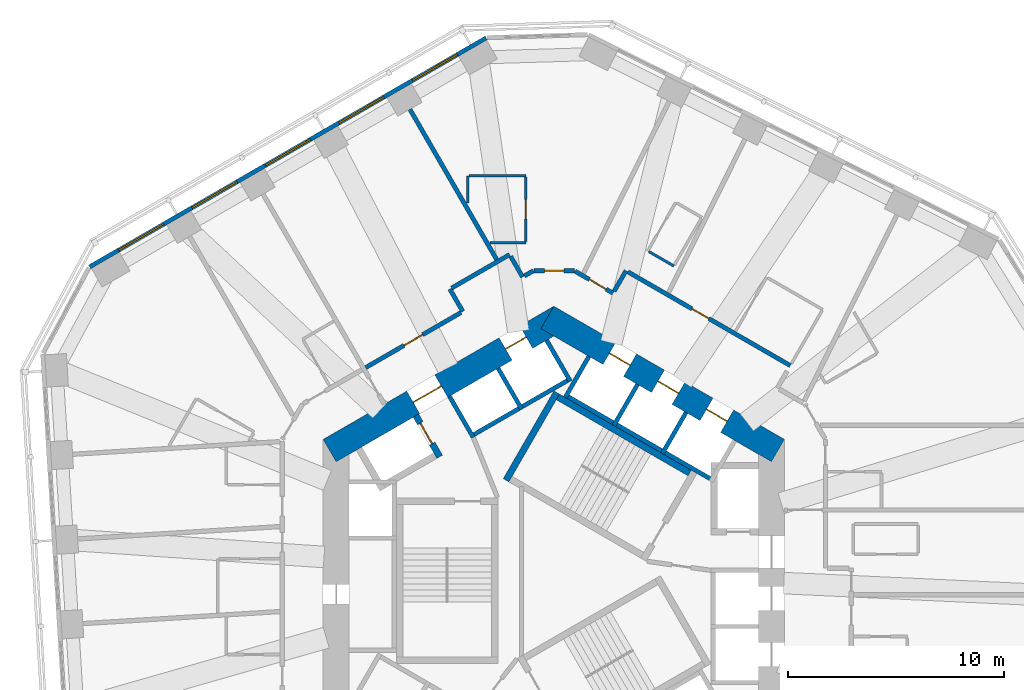
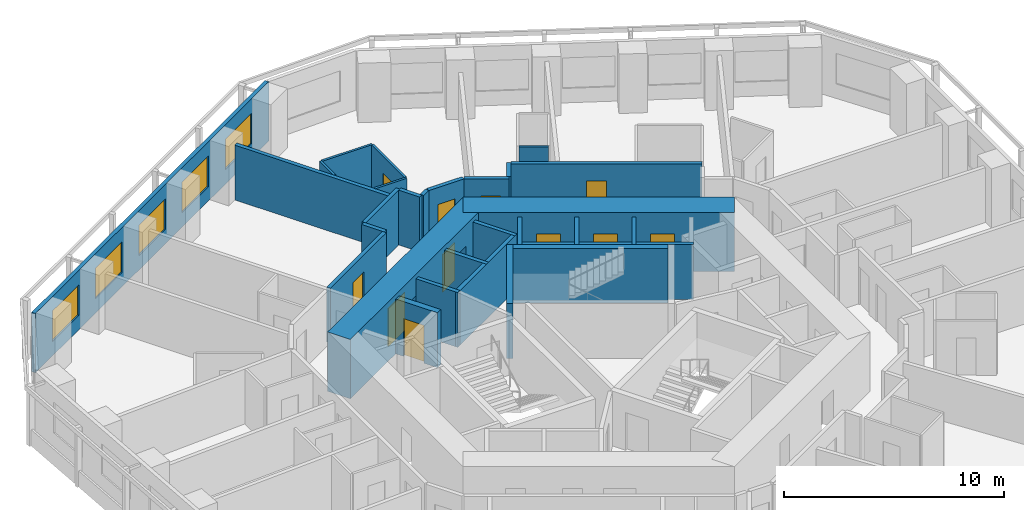
# One storey, part 8 of 12: 29 walls, 11 doors, 5 windows, 16 openings.
"""IFC4 building model written with IfcOpenShell, lengths in metres."""

from ifc_helpers import new_model, si_unit, direction, frame, frame_2d, origin, place, context, subcontext, project, spatial, rectangle, extrude, material, layer, layer_set, type_object, element, fill, save


model = new_model("IFC4")

# Units and contexts
model_context = context("Model", 3, precision=1e-05, world=origin(), true_north=direction((0.0, 1.0)))
body_context = subcontext(model_context, "Body", "Model", "MODEL_VIEW")
ifc_project = project(units=[si_unit("LENGTHUNIT", "METRE"), si_unit("AREAUNIT", "SQUARE_METRE"), si_unit("VOLUMEUNIT", "CUBIC_METRE"), si_unit("PLANEANGLEUNIT", "RADIAN"), si_unit("MASSUNIT", "GRAM", prefix="KILO")], contexts=[model_context])

# Site, building, storey
site_placement = place(None, origin())
site = spatial("IfcSite", under=ifc_project, at=site_placement, CompositionType="ELEMENT")
building_placement = place(site_placement, origin())
building = spatial("IfcBuilding", under=site, at=building_placement, Name="Vanh Sen Convention Tower", CompositionType="ELEMENT")
storey_placement = place(building_placement, frame((0.0, 0.0, 60.5)))
storey = spatial("IfcBuildingStorey", under=building, at=storey_placement, Name="L12", CompositionType="ELEMENT", Elevation=60.5)

# Walls
ifc_material_1 = material(Name="Moisture-resistant gypsum board on steel studs", Category="steel")
ifc_layer_1 = layer(ifc_material_1, 0.1201171875)
ifc_layer_set_1 = layer_set([ifc_layer_1], Name="Moisture-resistant gypsum board on steel studs")
wall_type_1 = type_object("IfcWallType", Name="Bathroom partition 120", PredefinedType="PARTITIONING", material=ifc_layer_set_1)
wall_1_placement = place(storey_placement, frame((-4.0, 17.137451171875, 0.0), z_axis=(0.0, 0.0, 1.0), x_axis=(0.0, 1.0, 0.0)))
element("IfcWall", 1, at=wall_1_placement, inside=storey, type_object=wall_type_1, Name="Bathroom partition 120", PredefinedType="PARTITIONING", context=body_context, shape_type="SweptSolid", body=[
    extrude(rectangle(XDim=1.26318359375, YDim=0.1201171875, at=frame_2d((0.631591796875, 0.0))), origin(), (0.0, 0.0, 1.0), 3.050048828125),
])
wall_2_placement = place(storey_placement, frame((-3.93994140625, 18.400634765625, 0.0), z_axis=(0.0, 0.0, 1.0), x_axis=(1.0, 0.0, 0.0)))
element("IfcWall", 2, at=wall_2_placement, inside=storey, type_object=wall_type_1, Name="Bathroom partition 120", PredefinedType="PARTITIONING", context=body_context, shape_type="SweptSolid", body=[
    extrude(rectangle(XDim=2.639892578125, YDim=0.1201171875, at=frame_2d((1.31982421875, 0.0))), origin(), (0.0, 0.0, 1.0), 3.050048828125),
])
wall_3_placement = place(storey_placement, frame((-1.300048828125, 15.30078125, 0.0), z_axis=(0.0, 0.0, 1.0), x_axis=(-1.0, 0.0, 0.0)))
element("IfcWall", 3, at=wall_3_placement, inside=storey, type_object=wall_type_1, Name="Bathroom partition 120", PredefinedType="PARTITIONING", context=body_context, shape_type="SweptSolid", body=[
    extrude(rectangle(XDim=1.6611328125, YDim=0.1201171875, at=frame_2d((0.83056640625, 0.0))), origin(), (0.0, 0.0, 1.0), 3.050048828125),
])

# Wall, opening, door
wall_4_placement = place(storey_placement, frame((-1.300048828125, 18.3408203125, 0.0), z_axis=(0.0, 0.0, 1.0), x_axis=(0.0, -1.0, 0.0)))
wall_4 = element("IfcWall", 4, at=wall_4_placement, inside=storey, type_object=wall_type_1, Name="Bathroom partition 120", PredefinedType="PARTITIONING", context=body_context, shape_type="SweptSolid", body=[
    extrude(rectangle(XDim=2.980224609375, YDim=0.1201171875, at=frame_2d((1.490234375, 0.0))), origin(), (0.0, 0.0, 1.0), 3.050048828125),
])
opening_1_placement = place(wall_4_placement, frame((1.0400390625, 0.0, 0.0)))
opening_1 = element("IfcOpeningElement", 5, at=opening_1_placement, cuts=wall_4, Name="Opening D10114", PredefinedType="OPENING", context=body_context, shape_type="SweptSolid", body=[
    extrude(rectangle(XDim=0.89990234375, YDim=2.10009765625, at=frame_2d((0.449951171875, 1.050048828125))), frame((0.0, 0.070068359375, 0.0), z_axis=(0.0, -1.0, 0.0), x_axis=(1.0, 0.0, 0.0)), (0.0, 0.0, 1.0), 0.14013671875),
])
ifc_material_2 = material(Name="Laminate door in steel frame", Category="steel")
door_type_1 = type_object("IfcDoorType", Name="En-suite door 900", OperationType="SINGLE_SWING_LEFT", PredefinedType="DOOR", material=ifc_material_2)
door_1_placement = place(opening_1_placement, origin())
door_1 = element("IfcDoor", 6, at=door_1_placement, inside=storey, type_object=door_type_1, Name="En-suite door D10114", OperationType="SINGLE_SWING_LEFT", OverallHeight=2.10009765625, OverallWidth=0.89990234375, PredefinedType="DOOR", context=body_context, shape_type="SweptSolid", body=[
    extrude(rectangle(XDim=0.89990234375, YDim=2.10009765625, at=frame_2d((0.449951171875, 1.050048828125))), frame((0.0, 0.02490234375, 0.0), z_axis=(0.0, -1.0, 0.0), x_axis=(1.0, 0.0, 0.0)), (0.0, 0.0, 1.0), 0.050048828125),
])
fill(opening_1, door_1)

# Wall
wall_5_placement = place(storey_placement, frame((5.568603515625, 14.22216796875, 0.0), z_axis=(0.0, 0.0, 1.0), x_axis=(-0.866036909293, 0.499980071345, 0.0)))
element("IfcWall", 7, at=wall_5_placement, inside=storey, type_object=wall_type_1, Name="Bathroom partition 120", PredefinedType="PARTITIONING", context=body_context, shape_type="SweptSolid", body=[
    extrude(rectangle(XDim=1.33984375, YDim=0.1201171875, at=frame_2d((0.669921875, 0.0))), origin(), (0.0, 0.0, 1.0), 3.050048828125),
])

# Wall, openings, doors
ifc_material_3 = material(Name="Concrete C80/95", Category="concrete")
ifc_layer_2 = layer(ifc_material_3, 1.199951171875)
ifc_layer_set_2 = layer_set([ifc_layer_2], Name="Concrete C80/95")
wall_type_2 = type_object("IfcWallType", Name="Core outer wall 1200 C80/95", PredefinedType="SHEAR", material=ifc_layer_set_2)
wall_6_placement = place(storey_placement, frame((10.39990234375, 5.657958984375, 0.0), z_axis=(0.0, 0.0, 1.0), x_axis=(-0.866021384402, 0.500006961711, 0.0)))
wall_6 = element("IfcWall", 8, at=wall_6_placement, inside=storey, type_object=wall_type_2, Name="Core wall face NE L12", PredefinedType="SHEAR", context=body_context, shape_type="SweptSolid", body=[
    extrude(rectangle(XDim=12.355224609375, YDim=1.199951171875, at=frame_2d((6.177734375, 0.0))), origin(), (0.0, 0.0, 1.0), 3.300048828125),
])
opening_2_placement = place(wall_6_placement, frame((2.727783203125, 0.0, 0.0)))
opening_2 = element("IfcOpeningElement", 9, at=opening_2_placement, cuts=wall_6, Name="Opening LD-LR3", PredefinedType="OPENING", context=body_context, shape_type="SweptSolid", body=[
    extrude(rectangle(XDim=1.10009765625, YDim=2.10009765625, at=frame_2d((0.550048828125, 1.050048828125))), frame((0.0, 0.60986328125, 0.0), z_axis=(0.0, -1.0, 0.0), x_axis=(1.0, 0.0, 0.0)), (0.0, 0.0, 1.0), 1.219970703125),
])
opening_3_placement = place(wall_6_placement, frame((5.32763671875, 0.0, 0.0)))
opening_3 = element("IfcOpeningElement", 10, at=opening_3_placement, cuts=wall_6, Name="Opening LD-LR4", PredefinedType="OPENING", context=body_context, shape_type="SweptSolid", body=[
    extrude(rectangle(XDim=1.10009765625, YDim=2.10009765625, at=frame_2d((0.550048828125, 1.050048828125))), frame((0.0, 0.60986328125, 0.0), z_axis=(0.0, -1.0, 0.0), x_axis=(1.0, 0.0, 0.0)), (0.0, 0.0, 1.0), 1.219970703125),
])
opening_4_placement = place(wall_6_placement, frame((7.927734375, 0.0, 0.0)))
opening_4 = element("IfcOpeningElement", 11, at=opening_4_placement, cuts=wall_6, Name="Opening LD-LR5", PredefinedType="OPENING", context=body_context, shape_type="SweptSolid", body=[
    extrude(rectangle(XDim=1.10009765625, YDim=2.10009765625, at=frame_2d((0.550048828125, 1.050048828125))), frame((0.0, 0.60986328125, 0.0), z_axis=(0.0, -1.0, 0.0), x_axis=(1.0, 0.0, 0.0)), (0.0, 0.0, 1.0), 1.219970703125),
])
ifc_material_4 = material(Name="Stainless steel", Category="steel")
door_type_2 = type_object("IfcDoorType", Name="Lift landing door 1100", OperationType="DOUBLE_DOOR_SLIDING", PredefinedType="DOOR", material=ifc_material_4)
door_2_placement = place(opening_2_placement, origin())
door_2 = element("IfcDoor", 12, at=door_2_placement, inside=storey, type_object=door_type_2, Name="Lift LR3 landing door LD-LR3", OperationType="DOUBLE_DOOR_SLIDING", OverallHeight=2.10009765625, OverallWidth=1.10009765625, PredefinedType="DOOR", context=body_context, shape_type="SweptSolid", body=[
    extrude(rectangle(XDim=1.10009765625, YDim=2.10009765625, at=frame_2d((0.550048828125, 1.050048828125))), frame((0.0, 0.02490234375, 0.0), z_axis=(0.0, -1.0, 0.0), x_axis=(1.0, 0.0, 0.0)), (0.0, 0.0, 1.0), 0.050048828125),
])
fill(opening_2, door_2)
door_3_placement = place(opening_3_placement, origin())
door_3 = element("IfcDoor", 13, at=door_3_placement, inside=storey, type_object=door_type_2, Name="Lift LR4 landing door LD-LR4", OperationType="DOUBLE_DOOR_SLIDING", OverallHeight=2.10009765625, OverallWidth=1.10009765625, PredefinedType="DOOR", context=body_context, shape_type="SweptSolid", body=[
    extrude(rectangle(XDim=1.10009765625, YDim=2.10009765625, at=frame_2d((0.550048828125, 1.050048828125))), frame((0.0, 0.02490234375, 0.0), z_axis=(0.0, -1.0, 0.0), x_axis=(1.0, 0.0, 0.0)), (0.0, 0.0, 1.0), 0.050048828125),
])
fill(opening_3, door_3)
door_4_placement = place(opening_4_placement, origin())
door_4 = element("IfcDoor", 14, at=door_4_placement, inside=storey, type_object=door_type_2, Name="Lift LR5 landing door LD-LR5", OperationType="DOUBLE_DOOR_SLIDING", OverallHeight=2.10009765625, OverallWidth=1.10009765625, PredefinedType="DOOR", context=body_context, shape_type="SweptSolid", body=[
    extrude(rectangle(XDim=1.10009765625, YDim=2.10009765625, at=frame_2d((0.550048828125, 1.050048828125))), frame((0.0, 0.02490234375, 0.0), z_axis=(0.0, -1.0, 0.0), x_axis=(1.0, 0.0, 0.0)), (0.0, 0.0, 1.0), 0.050048828125),
])
fill(opening_4, door_4)

wall_7_placement = place(storey_placement, frame((0.300048828125, 11.835693359375, 0.0), z_axis=(0.0, 0.0, 1.0), x_axis=(-0.866021384402, -0.500006961711, 0.0)))
wall_7 = element("IfcWall", 15, at=wall_7_placement, inside=storey, type_object=wall_type_2, Name="Core wall face NW L12", PredefinedType="SHEAR", context=body_context, shape_type="SweptSolid", body=[
    extrude(rectangle(XDim=12.355224609375, YDim=1.199951171875, at=frame_2d((6.177734375, 0.0))), origin(), (0.0, 0.0, 1.0), 3.300048828125),
])
opening_5_placement = place(wall_7_placement, frame((6.377685546875, 0.0, 0.0)))
opening_5 = element("IfcOpeningElement", 16, at=opening_5_placement, cuts=wall_7, Name="Opening D10002", PredefinedType="OPENING", context=body_context, shape_type="SweptSolid", body=[
    extrude(rectangle(XDim=1.5, YDim=2.10009765625, at=frame_2d((0.75, 1.050048828125))), frame((0.0, 0.60986328125, 0.0), z_axis=(0.0, -1.0, 0.0), x_axis=(1.0, 0.0, 0.0)), (0.0, 0.0, 1.0), 1.219970703125),
])
opening_6_placement = place(wall_7_placement, frame((1.82763671875, 0.0, 0.0)))
opening_6 = element("IfcOpeningElement", 17, at=opening_6_placement, cuts=wall_7, Name="Opening LD-LR6", PredefinedType="OPENING", context=body_context, shape_type="SweptSolid", body=[
    extrude(rectangle(XDim=1.10009765625, YDim=2.10009765625, at=frame_2d((0.550048828125, 1.050048828125))), frame((0.0, 0.60986328125, 0.0), z_axis=(0.0, -1.0, 0.0), x_axis=(1.0, 0.0, 0.0)), (0.0, 0.0, 1.0), 1.219970703125),
])
door_5_placement = place(opening_6_placement, origin())
door_5 = element("IfcDoor", 18, at=door_5_placement, inside=storey, type_object=door_type_2, Name="Lift LR6 landing door LD-LR6", OperationType="DOUBLE_DOOR_SLIDING", OverallHeight=2.10009765625, OverallWidth=1.10009765625, PredefinedType="DOOR", context=body_context, shape_type="SweptSolid", body=[
    extrude(rectangle(XDim=1.10009765625, YDim=2.10009765625, at=frame_2d((0.550048828125, 1.050048828125))), frame((0.0, 0.02490234375, 0.0), z_axis=(0.0, -1.0, 0.0), x_axis=(1.0, 0.0, 0.0)), (0.0, 0.0, 1.0), 0.050048828125),
])
fill(opening_6, door_5)
ifc_material_5 = material(Name="Steel S355", Category="steel")
door_type_3 = type_object("IfcDoorType", Name="Stair lobby door 1500", OperationType="DOUBLE_DOOR_SINGLE_SWING", PredefinedType="DOOR", material=ifc_material_5)
door_6_placement = place(opening_5_placement, origin())
door_6 = element("IfcDoor", 19, at=door_6_placement, inside=storey, type_object=door_type_3, Name="Stair lobby door D10002", OperationType="DOUBLE_DOOR_SINGLE_SWING", OverallHeight=2.10009765625, OverallWidth=1.5, PredefinedType="DOOR", context=body_context, shape_type="SweptSolid", body=[
    extrude(rectangle(XDim=1.5, YDim=2.10009765625, at=frame_2d((0.75, 1.050048828125))), frame((0.0, 0.02490234375, 0.0), z_axis=(0.0, -1.0, 0.0), x_axis=(1.0, 0.0, 0.0)), (0.0, 0.0, 1.0), 0.050048828125),
])
fill(opening_5, door_6)

# Wall
ifc_material_6 = material(Name="Gypsum board on steel studs with mineral wool", Category="steel")
ifc_layer_3 = layer(ifc_material_6, 0.199951171875)
ifc_layer_set_3 = layer_set([ifc_layer_3], Name="Gypsum board on steel studs with mineral wool")
wall_type_3 = type_object("IfcWallType", Name="Corridor partition wall 200", PredefinedType="PARTITIONING", material=ifc_layer_set_3)
wall_8_placement = place(storey_placement, frame((-4.822998046875, 13.151611328125, 0.0), z_axis=(0.0, 0.0, 1.0), x_axis=(0.499986357472, -0.866033280158, 0.0)))
element("IfcWall", 20, at=wall_8_placement, inside=storey, type_object=wall_type_3, Name="Corridor partition wall 200", PredefinedType="PARTITIONING", context=body_context, shape_type="SweptSolid", body=[
    extrude(rectangle(XDim=1.201171875, YDim=0.199951171875, at=frame_2d((0.6005859375, 0.0))), origin(), (0.0, 0.0, 1.0), 3.050048828125),
])

# Wall, opening, door
wall_9_placement = place(storey_placement, frame((-4.30908203125, 12.061279296875, 0.0), z_axis=(0.0, 0.0, 1.0), x_axis=(-0.866020679205, -0.500008183122, 0.0)))
wall_9 = element("IfcWall", 21, at=wall_9_placement, inside=storey, type_object=wall_type_3, Name="Corridor partition wall 200", PredefinedType="PARTITIONING", context=body_context, shape_type="SweptSolid", body=[
    extrude(rectangle(XDim=5.103515625, YDim=0.199951171875, at=frame_2d((2.5517578125, 0.0))), origin(), (0.0, 0.0, 1.0), 3.050048828125),
])
opening_7_placement = place(wall_9_placement, frame((2.0517578125, 0.0, 0.0)))
opening_7 = element("IfcOpeningElement", 22, at=opening_7_placement, cuts=wall_9, Name="Opening D10115", PredefinedType="OPENING", context=body_context, shape_type="SweptSolid", body=[
    extrude(rectangle(XDim=1.0, YDim=2.10009765625, at=frame_2d((0.5, 1.050048828125))), frame((0.0, 0.10986328125, 0.0), z_axis=(0.0, -1.0, 0.0), x_axis=(1.0, 0.0, 0.0)), (0.0, 0.0, 1.0), 0.219970703125),
])
ifc_material_7 = material(Name="Timber fire door in steel frame", Category="steel")
door_type_4 = type_object("IfcDoorType", Name="Floor room door 1000", OperationType="SINGLE_SWING_LEFT", PredefinedType="DOOR", material=ifc_material_7)
door_7_placement = place(opening_7_placement, origin())
door_7 = element("IfcDoor", 23, at=door_7_placement, inside=storey, type_object=door_type_4, Name="Meeting and amenity room door D10115", OperationType="SINGLE_SWING_LEFT", OverallHeight=2.10009765625, OverallWidth=1.0, PredefinedType="DOOR", context=body_context, shape_type="SweptSolid", body=[
    extrude(rectangle(XDim=1.0, YDim=2.10009765625, at=frame_2d((0.5, 1.050048828125))), frame((0.0, 0.02490234375, 0.0), z_axis=(0.0, -1.0, 0.0), x_axis=(1.0, 0.0, 0.0)), (0.0, 0.0, 1.0), 0.050048828125),
])
fill(opening_7, door_7)

# Walls
wall_10_placement = place(storey_placement, frame((-2.0498046875, 14.75244140625, 0.0), z_axis=(0.0, 0.0, 1.0), x_axis=(-0.866030936828, -0.499990416364, 0.0)))
element("IfcWall", 24, at=wall_10_placement, inside=storey, type_object=wall_type_3, Name="Corridor partition wall 200", PredefinedType="PARTITIONING", context=body_context, shape_type="SweptSolid", body=[
    extrude(rectangle(XDim=3.10205078125, YDim=0.199951171875, at=frame_2d((1.551025390625, 0.0))), origin(), (0.0, 0.0, 1.0), 3.050048828125),
])
wall_11_placement = place(storey_placement, frame((-1.449462890625, 13.71240234375, 0.0), z_axis=(0.0, 0.0, 1.0), x_axis=(-0.499978356969, 0.866037899034, 0.0)))
element("IfcWall", 25, at=wall_11_placement, inside=storey, type_object=wall_type_3, Name="Corridor partition wall 200", PredefinedType="PARTITIONING", context=body_context, shape_type="SweptSolid", body=[
    extrude(rectangle(XDim=1.10107421875, YDim=0.199951171875, at=frame_2d((0.550537109375, 0.0))), origin(), (0.0, 0.0, 1.0), 3.050048828125),
])
wall_12_placement = place(storey_placement, frame((-0.949951171875, 14.000732421875, 0.0), z_axis=(0.0, 0.0, 1.0), x_axis=(-0.86609177584, -0.499885022602, 0.0)))
element("IfcWall", 26, at=wall_12_placement, inside=storey, type_object=wall_type_3, Name="Corridor partition wall 200", PredefinedType="PARTITIONING", context=body_context, shape_type="SweptSolid", body=[
    extrude(rectangle(XDim=0.4765625, YDim=0.199951171875, at=frame_2d((0.23828125, 0.0))), origin(), (0.0, 0.0, 1.0), 3.050048828125),
])

# Wall, opening, door
wall_13_placement = place(storey_placement, frame((0.949951171875, 14.000732421875, 0.0), z_axis=(0.0, 0.0, 1.0), x_axis=(-1.0, 0.0, 0.0)))
wall_13 = element("IfcWall", 27, at=wall_13_placement, inside=storey, type_object=wall_type_3, Name="Corridor partition wall 200", PredefinedType="PARTITIONING", context=body_context, shape_type="SweptSolid", body=[
    extrude(rectangle(XDim=1.85986328125, YDim=0.199951171875, at=frame_2d((0.929931640625, 0.0))), origin(), (0.0, 0.0, 1.0), 3.050048828125),
])
opening_8_placement = place(wall_13_placement, frame((0.47998046875, 0.0, 0.0)))
opening_8 = element("IfcOpeningElement", 28, at=opening_8_placement, cuts=wall_13, Name="Opening D10113", PredefinedType="OPENING", context=body_context, shape_type="SweptSolid", body=[
    extrude(rectangle(XDim=0.89990234375, YDim=2.10009765625, at=frame_2d((0.449951171875, 1.050048828125))), frame((0.0, 0.10986328125, 0.0), z_axis=(0.0, -1.0, 0.0), x_axis=(1.0, 0.0, 0.0)), (0.0, 0.0, 1.0), 0.219970703125),
])
door_type_5 = type_object("IfcDoorType", Name="Guest room door 900", OperationType="SINGLE_SWING_LEFT", PredefinedType="DOOR", material=ifc_material_7)
door_8_placement = place(opening_8_placement, origin())
door_8 = element("IfcDoor", 29, at=door_8_placement, inside=storey, type_object=door_type_5, Name="Hotel guest room door D10113", OperationType="SINGLE_SWING_LEFT", OverallHeight=2.10009765625, OverallWidth=0.89990234375, PredefinedType="DOOR", context=body_context, shape_type="SweptSolid", body=[
    extrude(rectangle(XDim=0.89990234375, YDim=2.10009765625, at=frame_2d((0.449951171875, 1.050048828125))), frame((0.0, 0.02490234375, 0.0), z_axis=(0.0, -1.0, 0.0), x_axis=(1.0, 0.0, 0.0)), (0.0, 0.0, 1.0), 0.050048828125),
])
fill(opening_8, door_8)

wall_14_placement = place(storey_placement, frame((2.748291015625, 12.96240234375, 0.0), z_axis=(0.0, 0.0, 1.0), x_axis=(-0.866013897511, 0.50001992892, 0.0)))
wall_14 = element("IfcWall", 30, at=wall_14_placement, inside=storey, type_object=wall_type_3, Name="Corridor partition wall 200", PredefinedType="PARTITIONING", context=body_context, shape_type="SweptSolid", body=[
    extrude(rectangle(XDim=2.03662109375, YDim=0.199951171875, at=frame_2d((1.018310546875, 0.0))), origin(), (0.0, 0.0, 1.0), 3.050048828125),
])
opening_9_placement = place(wall_14_placement, frame((0.371826171875, 0.0, 0.0)))
opening_9 = element("IfcOpeningElement", 31, at=opening_9_placement, cuts=wall_14, Name="Opening D10111", PredefinedType="OPENING", context=body_context, shape_type="SweptSolid", body=[
    extrude(rectangle(XDim=0.89990234375, YDim=2.10009765625, at=frame_2d((0.449951171875, 1.050048828125))), frame((0.0, 0.10986328125, 0.0), z_axis=(0.0, -1.0, 0.0), x_axis=(1.0, 0.0, 0.0)), (0.0, 0.0, 1.0), 0.219970703125),
])
door_9_placement = place(opening_9_placement, origin())
door_9 = element("IfcDoor", 32, at=door_9_placement, inside=storey, type_object=door_type_5, Name="Hotel guest room door D10111", OperationType="SINGLE_SWING_LEFT", OverallHeight=2.10009765625, OverallWidth=0.89990234375, PredefinedType="DOOR", context=body_context, shape_type="SweptSolid", body=[
    extrude(rectangle(XDim=0.89990234375, YDim=2.10009765625, at=frame_2d((0.449951171875, 1.050048828125))), frame((0.0, 0.02490234375, 0.0), z_axis=(0.0, -1.0, 0.0), x_axis=(1.0, 0.0, 0.0)), (0.0, 0.0, 1.0), 0.050048828125),
])
fill(opening_9, door_9)

# Wall
wall_15_placement = place(storey_placement, frame((3.348876953125, 14.00244140625, 0.0), z_axis=(0.0, 0.0, 1.0), x_axis=(-0.500074377092, -0.865982457891, 0.0)))
element("IfcWall", 33, at=wall_15_placement, inside=storey, type_object=wall_type_3, Name="Corridor partition wall 200", PredefinedType="PARTITIONING", context=body_context, shape_type="SweptSolid", body=[
    extrude(rectangle(XDim=1.100830078125, YDim=0.199951171875, at=frame_2d((0.55029296875, 0.0))), origin(), (0.0, 0.0, 1.0), 3.050048828125),
])

# Wall, opening, door
wall_16_placement = place(storey_placement, frame((10.9716796875, 9.6015625, 0.0), z_axis=(0.0, 0.0, 1.0), x_axis=(-0.866033277307, 0.499986362411, 0.0)))
wall_16 = element("IfcWall", 34, at=wall_16_placement, inside=storey, type_object=wall_type_3, Name="Corridor partition wall 200", PredefinedType="PARTITIONING", context=body_context, shape_type="SweptSolid", body=[
    extrude(rectangle(XDim=8.701904296875, YDim=0.199951171875, at=frame_2d((4.35107421875, 0.0))), origin(), (0.0, 0.0, 1.0), 3.050048828125),
])
opening_10_placement = place(wall_16_placement, frame((4.363525390625, 0.0, 0.0)))
opening_10 = element("IfcOpeningElement", 35, at=opening_10_placement, cuts=wall_16, Name="Opening D10109", PredefinedType="OPENING", context=body_context, shape_type="SweptSolid", body=[
    extrude(rectangle(XDim=0.89990234375, YDim=2.10009765625, at=frame_2d((0.449951171875, 1.050048828125))), frame((0.0, 0.10986328125, 0.0), z_axis=(0.0, -1.0, 0.0), x_axis=(1.0, 0.0, 0.0)), (0.0, 0.0, 1.0), 0.219970703125),
])
door_10_placement = place(opening_10_placement, origin())
door_10 = element("IfcDoor", 36, at=door_10_placement, inside=storey, type_object=door_type_5, Name="Hotel guest room door D10109", OperationType="SINGLE_SWING_LEFT", OverallHeight=2.10009765625, OverallWidth=0.89990234375, PredefinedType="DOOR", context=body_context, shape_type="SweptSolid", body=[
    extrude(rectangle(XDim=0.89990234375, YDim=2.10009765625, at=frame_2d((0.449951171875, 1.050048828125))), frame((0.0, 0.02490234375, 0.0), z_axis=(0.0, -1.0, 0.0), x_axis=(1.0, 0.0, 0.0)), (0.0, 0.0, 1.0), 0.050048828125),
])
fill(opening_10, door_10)

# Wall, openings, windows
ifc_material_8 = material(Name="Insulated lightweight infill wall")
ifc_layer_4 = layer(ifc_material_8, 0.199951171875)
ifc_layer_set_4 = layer_set([ifc_layer_4], Name="Insulated lightweight infill wall")
wall_type_4 = type_object("IfcWallType", Name="External wall 200", PredefinedType="STANDARD", material=ifc_layer_set_4)
wall_17_placement = place(storey_placement, frame((-3.135986328125, 24.80517578125, 0.0), z_axis=(0.0, 0.0, 1.0), x_axis=(-0.866028291626, -0.499994998079, 0.0)))
wall_17 = element("IfcWall", 37, at=wall_17_placement, inside=storey, type_object=wall_type_4, Name="External wall NW L12", PredefinedType="STANDARD", context=body_context, shape_type="SweptSolid", body=[
    extrude(rectangle(XDim=21.246337890625, YDim=0.199951171875, at=frame_2d((10.623046875, 0.0))), origin(), (0.0, 0.0, 1.0), 3.300048828125),
])
opening_11_placement = place(wall_17_placement, frame((1.5546875, 0.0, 0.800048828125)))
opening_11 = element("IfcOpeningElement", 38, at=opening_11_placement, cuts=wall_17, Name="Opening WH1-NW1", PredefinedType="OPENING", context=body_context, shape_type="SweptSolid", body=[
    extrude(rectangle(XDim=2.39990234375, YDim=1.699951171875, at=frame_2d((1.199951171875, 0.85009765625))), frame((0.0, 0.10986328125, 0.0), z_axis=(0.0, -1.0, 0.0), x_axis=(1.0, 0.0, 0.0)), (0.0, 0.0, 1.0), 0.219970703125),
])
opening_12_placement = place(wall_17_placement, frame((5.4892578125, 0.0, 0.800048828125)))
opening_12 = element("IfcOpeningElement", 39, at=opening_12_placement, cuts=wall_17, Name="Opening WH1-NW2", PredefinedType="OPENING", context=body_context, shape_type="SweptSolid", body=[
    extrude(rectangle(XDim=2.39990234375, YDim=1.699951171875, at=frame_2d((1.199951171875, 0.85009765625))), frame((0.0, 0.10986328125, 0.0), z_axis=(0.0, -1.0, 0.0), x_axis=(1.0, 0.0, 0.0)), (0.0, 0.0, 1.0), 0.219970703125),
])
opening_13_placement = place(wall_17_placement, frame((9.423828125, 0.0, 0.800048828125)))
opening_13 = element("IfcOpeningElement", 40, at=opening_13_placement, cuts=wall_17, Name="Opening WH1-NW3", PredefinedType="OPENING", context=body_context, shape_type="SweptSolid", body=[
    extrude(rectangle(XDim=2.39990234375, YDim=1.699951171875, at=frame_2d((1.199951171875, 0.85009765625))), frame((0.0, 0.10986328125, 0.0), z_axis=(0.0, -1.0, 0.0), x_axis=(1.0, 0.0, 0.0)), (0.0, 0.0, 1.0), 0.219970703125),
])
opening_14_placement = place(wall_17_placement, frame((13.3583984375, 0.0, 0.800048828125)))
opening_14 = element("IfcOpeningElement", 41, at=opening_14_placement, cuts=wall_17, Name="Opening WH1-NW4", PredefinedType="OPENING", context=body_context, shape_type="SweptSolid", body=[
    extrude(rectangle(XDim=2.39990234375, YDim=1.699951171875, at=frame_2d((1.199951171875, 0.85009765625))), frame((0.0, 0.10986328125, 0.0), z_axis=(0.0, -1.0, 0.0), x_axis=(1.0, 0.0, 0.0)), (0.0, 0.0, 1.0), 0.219970703125),
])
opening_15_placement = place(wall_17_placement, frame((17.293212890625, 0.0, 0.800048828125)))
opening_15 = element("IfcOpeningElement", 42, at=opening_15_placement, cuts=wall_17, Name="Opening WH1-NW5", PredefinedType="OPENING", context=body_context, shape_type="SweptSolid", body=[
    extrude(rectangle(XDim=2.39990234375, YDim=1.699951171875, at=frame_2d((1.199951171875, 0.85009765625))), frame((0.0, 0.10986328125, 0.0), z_axis=(0.0, -1.0, 0.0), x_axis=(1.0, 0.0, 0.0)), (0.0, 0.0, 1.0), 0.219970703125),
])
ifc_material_9 = material(Name="Aluminium frame with clear low-emissivity glass", Category="aluminium")
window_type = type_object("IfcWindowType", Name="Hotel window 2400 x 1700", PartitioningType="SINGLE_PANEL", PredefinedType="WINDOW", material=ifc_material_9)
window_1_placement = place(opening_11_placement, origin())
window_1 = element("IfcWindow", 43, at=window_1_placement, inside=storey, type_object=window_type, Name="Window WH1-NW1", OverallHeight=1.699951171875, OverallWidth=2.39990234375, PartitioningType="SINGLE_PANEL", PredefinedType="WINDOW", context=body_context, shape_type="SweptSolid", body=[
    extrude(rectangle(XDim=2.39990234375, YDim=1.699951171875, at=frame_2d((1.199951171875, 0.85009765625))), frame((0.0, 0.030029296875, 0.0), z_axis=(0.0, -1.0, 0.0), x_axis=(1.0, 0.0, 0.0)), (0.0, 0.0, 1.0), 0.06005859375),
])
fill(opening_11, window_1)
window_2_placement = place(opening_12_placement, origin())
window_2 = element("IfcWindow", 44, at=window_2_placement, inside=storey, type_object=window_type, Name="Window WH1-NW2", OverallHeight=1.699951171875, OverallWidth=2.39990234375, PartitioningType="SINGLE_PANEL", PredefinedType="WINDOW", context=body_context, shape_type="SweptSolid", body=[
    extrude(rectangle(XDim=2.39990234375, YDim=1.699951171875, at=frame_2d((1.199951171875, 0.85009765625))), frame((0.0, 0.030029296875, 0.0), z_axis=(0.0, -1.0, 0.0), x_axis=(1.0, 0.0, 0.0)), (0.0, 0.0, 1.0), 0.06005859375),
])
fill(opening_12, window_2)
window_3_placement = place(opening_13_placement, origin())
window_3 = element("IfcWindow", 45, at=window_3_placement, inside=storey, type_object=window_type, Name="Window WH1-NW3", OverallHeight=1.699951171875, OverallWidth=2.39990234375, PartitioningType="SINGLE_PANEL", PredefinedType="WINDOW", context=body_context, shape_type="SweptSolid", body=[
    extrude(rectangle(XDim=2.39990234375, YDim=1.699951171875, at=frame_2d((1.199951171875, 0.85009765625))), frame((0.0, 0.030029296875, 0.0), z_axis=(0.0, -1.0, 0.0), x_axis=(1.0, 0.0, 0.0)), (0.0, 0.0, 1.0), 0.06005859375),
])
fill(opening_13, window_3)
window_4_placement = place(opening_14_placement, origin())
window_4 = element("IfcWindow", 46, at=window_4_placement, inside=storey, type_object=window_type, Name="Window WH1-NW4", OverallHeight=1.699951171875, OverallWidth=2.39990234375, PartitioningType="SINGLE_PANEL", PredefinedType="WINDOW", context=body_context, shape_type="SweptSolid", body=[
    extrude(rectangle(XDim=2.39990234375, YDim=1.699951171875, at=frame_2d((1.199951171875, 0.85009765625))), frame((0.0, 0.030029296875, 0.0), z_axis=(0.0, -1.0, 0.0), x_axis=(1.0, 0.0, 0.0)), (0.0, 0.0, 1.0), 0.06005859375),
])
fill(opening_14, window_4)
window_5_placement = place(opening_15_placement, origin())
window_5 = element("IfcWindow", 47, at=window_5_placement, inside=storey, type_object=window_type, Name="Window WH1-NW5", OverallHeight=1.699951171875, OverallWidth=2.39990234375, PartitioningType="SINGLE_PANEL", PredefinedType="WINDOW", context=body_context, shape_type="SweptSolid", body=[
    extrude(rectangle(XDim=2.39990234375, YDim=1.699951171875, at=frame_2d((1.199951171875, 0.85009765625))), frame((0.0, 0.030029296875, 0.0), z_axis=(0.0, -1.0, 0.0), x_axis=(1.0, 0.0, 0.0)), (0.0, 0.0, 1.0), 0.06005859375),
])
fill(opening_15, window_5)

# Wall, opening, door
ifc_material_10 = material(Name="Concrete C60/75", Category="concrete")
ifc_layer_5 = layer(ifc_material_10, 0.300048828125)
ifc_layer_set_5 = layer_set([ifc_layer_5], Name="Concrete C60/75")
wall_type_5 = type_object("IfcWallType", Name="Fire-fighting lift shaft wall 300", PredefinedType="SHEAR", material=ifc_layer_set_5)
wall_18_placement = place(storey_placement, frame((-5.29541015625, 5.3720703125, 0.0), z_axis=(0.0, 0.0, 1.0), x_axis=(-0.500077893725, 0.86598042715, 0.0)))
wall_18 = element("IfcWall", 48, at=wall_18_placement, inside=storey, type_object=wall_type_5, Name="Fire-fighting lift shaft wall L12", PredefinedType="SHEAR", context=body_context, shape_type="SweptSolid", body=[
    extrude(rectangle(XDim=2.199951171875, YDim=0.300048828125, at=frame_2d((1.10009765625, 0.0))), origin(), (0.0, 0.0, 1.0), 3.050048828125),
])
opening_16_placement = place(wall_18_placement, frame((0.699951171875, 0.0, 0.0)))
opening_16 = element("IfcOpeningElement", 49, at=opening_16_placement, cuts=wall_18, Name="Opening LD-FF2", PredefinedType="OPENING", context=body_context, shape_type="SweptSolid", body=[
    extrude(rectangle(XDim=1.10009765625, YDim=2.10009765625, at=frame_2d((0.550048828125, 1.050048828125))), frame((0.0, 0.159912109375, 0.0), z_axis=(0.0, -1.0, 0.0), x_axis=(1.0, 0.0, 0.0)), (0.0, 0.0, 1.0), 0.320068359375),
])
door_type_6 = type_object("IfcDoorType", Name="Fire-fighting lift landing door 1100", OperationType="DOUBLE_DOOR_SLIDING", PredefinedType="DOOR", material=ifc_material_4)
door_11_placement = place(opening_16_placement, origin())
door_11 = element("IfcDoor", 50, at=door_11_placement, inside=storey, type_object=door_type_6, Name="Lift FF2 landing door LD-FF2", OperationType="DOUBLE_DOOR_SLIDING", OverallHeight=2.10009765625, OverallWidth=1.10009765625, PredefinedType="DOOR", context=body_context, shape_type="SweptSolid", body=[
    extrude(rectangle(XDim=1.10009765625, YDim=2.10009765625, at=frame_2d((0.550048828125, 1.050048828125))), frame((0.0, 0.02490234375, 0.0), z_axis=(0.0, -1.0, 0.0), x_axis=(1.0, 0.0, 0.0)), (0.0, 0.0, 1.0), 0.050048828125),
])
fill(opening_16, door_11)

# Walls
ifc_layer_6 = layer(ifc_material_6, 0.199951171875)
ifc_layer_set_6 = layer_set([ifc_layer_6], Name="Gypsum board on steel studs with mineral wool")
wall_type_6 = type_object("IfcWallType", Name="Hotel party wall 200", PredefinedType="PARTITIONING", material=ifc_layer_set_6)
wall_19_placement = place(storey_placement, frame((-6.675537109375, 21.49169921875, 0.0), z_axis=(0.0, 0.0, 1.0), x_axis=(0.500011263043, -0.866018900966, 0.0)))
element("IfcWall", 51, at=wall_19_placement, inside=storey, type_object=wall_type_6, Name="Hotel party wall 200", PredefinedType="PARTITIONING", context=body_context, shape_type="SweptSolid", body=[
    extrude(rectangle(XDim=8.049072265625, YDim=0.199951171875, at=frame_2d((4.0244140625, 0.0))), origin(), (0.0, 0.0, 1.0), 3.050048828125),
])
ifc_material_11 = material(Name="Concrete C40/50", Category="concrete")
ifc_layer_7 = layer(ifc_material_11, 0.199951171875)
ifc_layer_set_7 = layer_set([ifc_layer_7], Name="Concrete C40/50")
wall_type_7 = type_object("IfcWallType", Name="Lift shaft wall 200", PredefinedType="PARTITIONING", material=ifc_layer_set_7)
wall_20_placement = place(storey_placement, frame((7.423828125, 4.258544921875, 0.0), z_axis=(0.0, 0.0, 1.0), x_axis=(-0.866026010844, 0.49999894854, 0.0)))
element("IfcWall", 52, at=wall_20_placement, inside=storey, type_object=wall_type_7, Name="Lift shaft wall L12", PredefinedType="PARTITIONING", context=body_context, shape_type="SweptSolid", body=[
    extrude(rectangle(XDim=8.0, YDim=0.199951171875, at=frame_2d((4.0, 0.0))), origin(), (0.0, 0.0, 1.0), 3.050048828125),
])
for number, where, z_axis, x_axis, name in (
    (53, (5.03564453125, 5.52197265625, 0.0), (0.0, 0.0, 1.0), (0.499946605688, 0.86605622881, 0.0), "Lift shaft wall L12"),
    (54, (2.783935546875, 6.822021484375, 0.0), (0.0, 0.0, 1.0), (0.50002983664, 0.866008176907, 0.0), "Lift shaft wall L12"),
    (55, (0.5322265625, 8.1220703125, 0.0), (0.0, 0.0, 1.0), (0.500077893725, 0.86598042715, 0.0), "Lift shaft wall L12"),
):
    element("IfcWall", number, at=place(storey_placement, frame(where, z_axis=z_axis, x_axis=x_axis)), inside=storey, type_object=wall_type_7, Name=name, PredefinedType="PARTITIONING", context=body_context, shape_type="SweptSolid", body=[
        extrude(rectangle(XDim=2.199951171875, YDim=0.199951171875, at=frame_2d((1.10009765625, 0.0))), origin(), (0.0, 0.0, 1.0), 3.050048828125),
    ])
wall_21_placement = place(storey_placement, frame((0.80322265625, 9.008544921875, 0.0), z_axis=(0.0, 0.0, 1.0), x_axis=(-0.866028230842, -0.499995103361, 0.0)))
element("IfcWall", 56, at=wall_21_placement, inside=storey, type_object=wall_type_7, Name="Lift shaft wall L12", PredefinedType="PARTITIONING", context=body_context, shape_type="SweptSolid", body=[
    extrude(rectangle(XDim=5.39990234375, YDim=0.199951171875, at=frame_2d((2.699951171875, 0.0))), origin(), (0.0, 0.0, 1.0), 3.050048828125),
])
wall_22_placement = place(storey_placement, frame((0.7666015625, 8.8720703125, 0.0), z_axis=(0.0, 0.0, 1.0), x_axis=(-0.499994660107, 0.866028486751, 0.0)))
element("IfcWall", 57, at=wall_22_placement, inside=storey, type_object=wall_type_7, Name="Lift shaft wall L12", PredefinedType="PARTITIONING", context=body_context, shape_type="SweptSolid", body=[
    extrude(rectangle(XDim=2.19970703125, YDim=0.199951171875, at=frame_2d((1.099853515625, 0.0))), origin(), (0.0, 0.0, 1.0), 3.050048828125),
])
for number, where, z_axis, x_axis, name in (
    (58, (-1.48486328125, 7.572021484375, 0.0), (0.0, 0.0, 1.0), (-0.50002983664, 0.866008176907, 0.0), "Lift shaft wall L12"),
    (59, (-3.736572265625, 6.27197265625, 0.0), (0.0, 0.0, 1.0), (-0.50002983664, 0.866008176907, 0.0), "Lift shaft wall L12"),
):
    element("IfcWall", number, at=place(storey_placement, frame(where, z_axis=z_axis, x_axis=x_axis)), inside=storey, type_object=wall_type_7, Name=name, PredefinedType="PARTITIONING", context=body_context, shape_type="SweptSolid", body=[
        extrude(rectangle(XDim=2.199951171875, YDim=0.199951171875, at=frame_2d((1.10009765625, 0.0))), origin(), (0.0, 0.0, 1.0), 3.050048828125),
    ])
ifc_layer_8 = layer(ifc_material_10, 0.300048828125)
ifc_layer_set_8 = layer_set([ifc_layer_8], Name="Concrete C60/75")
wall_type_8 = type_object("IfcWallType", Name="Stair wall 300", PredefinedType="SHEAR", material=ifc_layer_set_8)
wall_23_placement = place(storey_placement, frame((-2.216064453125, 4.28173828125, 0.0), z_axis=(0.0, 0.0, 1.0), x_axis=(0.499977259774, 0.866038532462, 0.0)))
element("IfcWall", 60, at=wall_23_placement, inside=storey, type_object=wall_type_8, Name="Stair wall L12", PredefinedType="SHEAR", context=body_context, shape_type="SweptSolid", body=[
    extrude(rectangle(XDim=4.699951171875, YDim=0.300048828125, at=frame_2d((2.35009765625, 0.0))), origin(), (0.0, 0.0, 1.0), 3.050048828125),
])
wall_24_placement = place(storey_placement, frame((6.302978515625, 4.6171875, 0.0), z_axis=(0.0, 0.0, 1.0), x_axis=(-0.866027801685, 0.499995846692, 0.0)))
element("IfcWall", 61, at=wall_24_placement, inside=storey, type_object=wall_type_8, Name="Stair wall L12", PredefinedType="SHEAR", context=body_context, shape_type="SweptSolid", body=[
    extrude(rectangle(XDim=7.06005859375, YDim=0.300048828125, at=frame_2d((3.530029296875, 0.0))), origin(), (0.0, 0.0, 1.0), 3.050048828125),
])

save(model, "model.ifc")
